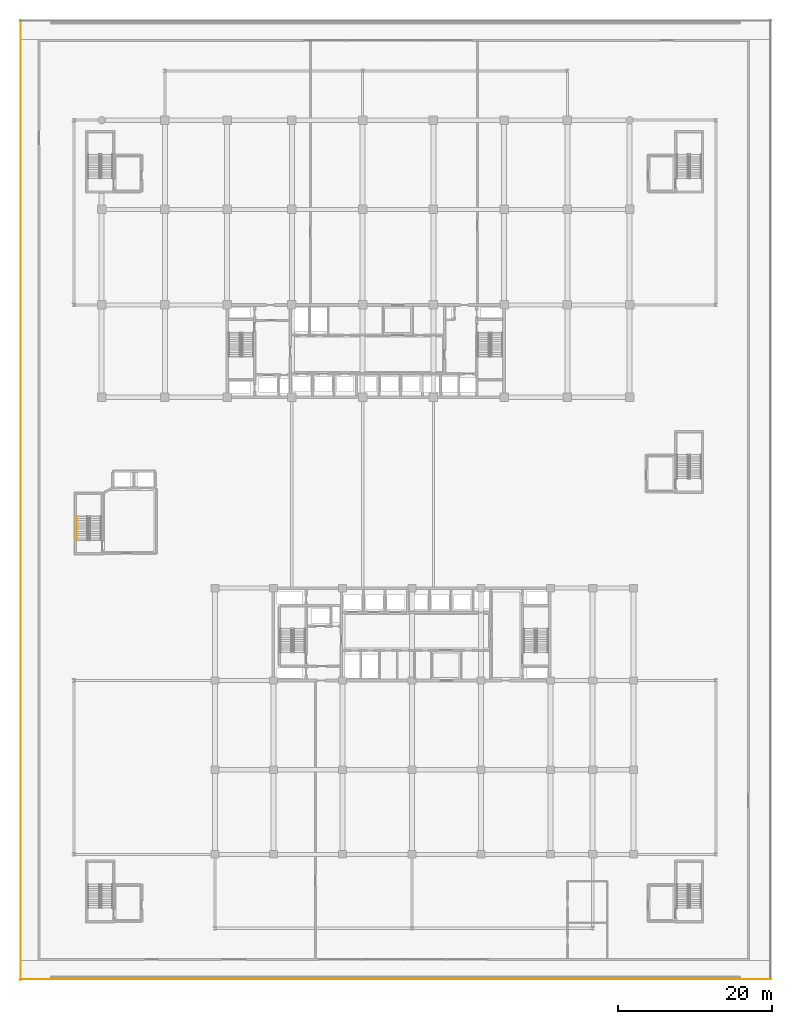
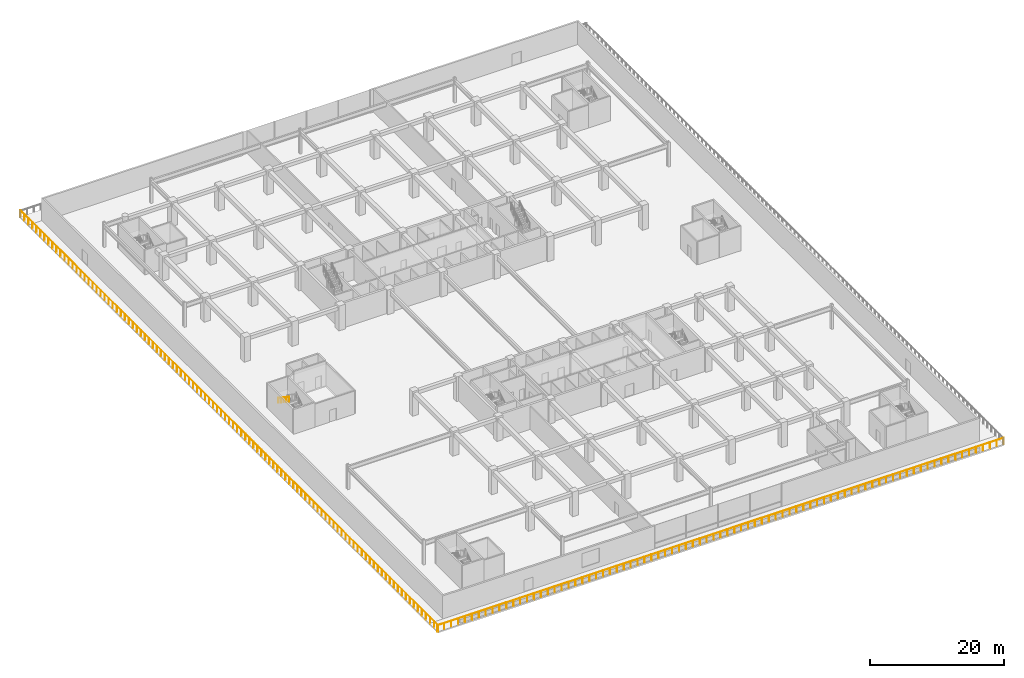
# One storey, part 31 of 40: 3 railings.
"""IFC4 building model written with IfcOpenShell, lengths in metres."""

from ifc_helpers import new_model, si_unit, direction, frame, origin, origin_2d, place, context, subcontext, project, spatial, circle, extrude, material, type_object, element, save


model = new_model("IFC4")

# Units and contexts
model_context = context("Model", 3, precision=1e-05, world=origin(), true_north=direction((0.0, 1.0)))
body_context = subcontext(model_context, "Body", "Model", "MODEL_VIEW")
ifc_project = project(units=[si_unit("LENGTHUNIT", "METRE"), si_unit("AREAUNIT", "SQUARE_METRE"), si_unit("VOLUMEUNIT", "CUBIC_METRE"), si_unit("PLANEANGLEUNIT", "RADIAN"), si_unit("MASSUNIT", "GRAM", prefix="KILO")], contexts=[model_context])

# Site, building, storey
site_placement = place(None, origin())
site = spatial("IfcSite", under=ifc_project, at=site_placement, CompositionType="ELEMENT")
building_placement = place(site_placement, origin())
building = spatial("IfcBuilding", under=site, at=building_placement, Name="Korimba Cascade Residences", CompositionType="ELEMENT")
storey_placement = place(building_placement, frame((0.0, 0.0, 14.5)))
storey = spatial("IfcBuildingStorey", under=building, at=storey_placement, Name="L03", CompositionType="ELEMENT", Elevation=14.5)

# Railings
ifc_material_1 = material(Name="Brushed Stainless Steel Handrail", Category="steel")
railing_type_1 = type_object("IfcRailingType", Name="RLG-ST-HR900", PredefinedType="HANDRAIL", material=ifc_material_1)
railing_1_placement = place(storey_placement, frame((56.550048828125, 39.72998046875, 2.629150390625)))
element("IfcRailing", 1, at=railing_1_placement, inside=storey, type_object=railing_type_1, Name="L03 ST-P1 stair handrail 2", PredefinedType="HANDRAIL", context=body_context, shape_type="SweptSolid", body=[
    extrude(circle(Radius=0.02392578125, at=origin_2d()), frame((0.0, 0.0, 0.8759765625), z_axis=(0.0, -0.830913701846, 0.55640131208), x_axis=(1.0, 0.0, 0.0)), (0.0, 0.0, 1.0), 3.706787109375),
    extrude(circle(Radius=0.02099609375, at=origin_2d()), origin(), (0.0, 0.0, 1.0), 0.851806640625),
    extrude(circle(Radius=0.02099609375, at=origin_2d()), frame((0.0, -0.77001953125, 0.515625)), (0.0, 0.0, 1.0), 0.851806640625),
    extrude(circle(Radius=0.02099609375, at=origin_2d()), frame((0.0, -1.5400390625, 1.03125)), (0.0, 0.0, 1.0), 0.851806640625),
    extrude(circle(Radius=0.02099609375, at=origin_2d()), frame((0.0, -2.31005859375, 1.546875)), (0.0, 0.0, 1.0), 0.851806640625),
    extrude(circle(Radius=0.02099609375, at=origin_2d()), frame((0.0, -3.080078125, 2.0625)), (0.0, 0.0, 1.0), 0.851806640625),
])
ifc_material_2 = material(Name="Painted Galvanised Steel Terrace Guardrail", Category="steel")
railing_type_2 = type_object("IfcRailingType", Name="RLG-TER-1150", PredefinedType="GUARDRAIL", material=ifc_material_2)
railing_2_placement = place(storey_placement, frame((49.199951171875, -20.419921875, 0.0)))
element("IfcRailing", 2, at=railing_2_placement, inside=storey, type_object=railing_type_2, Name="L03 Perimeter Guardrail RLG-L03-TER-01", PredefinedType="GUARDRAIL", context=body_context, shape_type="SweptSolid", body=[
    extrude(circle(Radius=0.02392578125, at=origin_2d()), frame((0.0, 0.0, 1.1259765625), z_axis=(1.0, 0.0, 0.0), x_axis=(0.0, 1.0, 0.0)), (0.0, 0.0, 1.0), 97.60009765625),
    extrude(circle(Radius=0.02099609375, at=origin_2d()), origin(), (0.0, 0.0, 1.0), 1.101806640625),
    extrude(circle(Radius=0.02099609375, at=origin_2d()), frame((1.190185546875, 0.0, 0.0)), (0.0, 0.0, 1.0), 1.101806640625),
    extrude(circle(Radius=0.02099609375, at=origin_2d()), frame((2.38037109375, 0.0, 0.0)), (0.0, 0.0, 1.0), 1.101806640625),
    extrude(circle(Radius=0.02099609375, at=origin_2d()), frame((3.57080078125, 0.0, 0.0)), (0.0, 0.0, 1.0), 1.101806640625),
    extrude(circle(Radius=0.02099609375, at=origin_2d()), frame((4.760986328125, 0.0, 0.0)), (0.0, 0.0, 1.0), 1.101806640625),
    extrude(circle(Radius=0.02099609375, at=origin_2d()), frame((5.951171875, 0.0, 0.0)), (0.0, 0.0, 1.0), 1.101806640625),
    extrude(circle(Radius=0.02099609375, at=origin_2d()), frame((7.141357421875, 0.0, 0.0)), (0.0, 0.0, 1.0), 1.101806640625),
    extrude(circle(Radius=0.02099609375, at=origin_2d()), frame((8.331787109375, 0.0, 0.0)), (0.0, 0.0, 1.0), 1.101806640625),
    extrude(circle(Radius=0.02099609375, at=origin_2d()), frame((9.52197265625, 0.0, 0.0)), (0.0, 0.0, 1.0), 1.101806640625),
    extrude(circle(Radius=0.02099609375, at=origin_2d()), frame((10.712158203125, 0.0, 0.0)), (0.0, 0.0, 1.0), 1.101806640625),
    extrude(circle(Radius=0.02099609375, at=origin_2d()), frame((11.90234375, 0.0, 0.0)), (0.0, 0.0, 1.0), 1.101806640625),
    extrude(circle(Radius=0.02099609375, at=origin_2d()), frame((13.0927734375, 0.0, 0.0)), (0.0, 0.0, 1.0), 1.101806640625),
    extrude(circle(Radius=0.02099609375, at=origin_2d()), frame((14.282958984375, 0.0, 0.0)), (0.0, 0.0, 1.0), 1.101806640625),
    extrude(circle(Radius=0.02099609375, at=origin_2d()), frame((15.47314453125, 0.0, 0.0)), (0.0, 0.0, 1.0), 1.101806640625),
    extrude(circle(Radius=0.02099609375, at=origin_2d()), frame((16.663330078125, 0.0, 0.0)), (0.0, 0.0, 1.0), 1.101806640625),
    extrude(circle(Radius=0.02099609375, at=origin_2d()), frame((17.853759765625, 0.0, 0.0)), (0.0, 0.0, 1.0), 1.101806640625),
    extrude(circle(Radius=0.02099609375, at=origin_2d()), frame((19.0439453125, 0.0, 0.0)), (0.0, 0.0, 1.0), 1.101806640625),
    extrude(circle(Radius=0.02099609375, at=origin_2d()), frame((20.234130859375, 0.0, 0.0)), (0.0, 0.0, 1.0), 1.101806640625),
    extrude(circle(Radius=0.02099609375, at=origin_2d()), frame((21.42431640625, 0.0, 0.0)), (0.0, 0.0, 1.0), 1.101806640625),
    extrude(circle(Radius=0.02099609375, at=origin_2d()), frame((22.61474609375, 0.0, 0.0)), (0.0, 0.0, 1.0), 1.101806640625),
    extrude(circle(Radius=0.02099609375, at=origin_2d()), frame((23.804931640625, 0.0, 0.0)), (0.0, 0.0, 1.0), 1.101806640625),
    extrude(circle(Radius=0.02099609375, at=origin_2d()), frame((24.9951171875, 0.0, 0.0)), (0.0, 0.0, 1.0), 1.101806640625),
    extrude(circle(Radius=0.02099609375, at=origin_2d()), frame((26.185302734375, 0.0, 0.0)), (0.0, 0.0, 1.0), 1.101806640625),
    extrude(circle(Radius=0.02099609375, at=origin_2d()), frame((27.375732421875, 0.0, 0.0)), (0.0, 0.0, 1.0), 1.101806640625),
    extrude(circle(Radius=0.02099609375, at=origin_2d()), frame((28.56591796875, 0.0, 0.0)), (0.0, 0.0, 1.0), 1.101806640625),
    extrude(circle(Radius=0.02099609375, at=origin_2d()), frame((29.756103515625, 0.0, 0.0)), (0.0, 0.0, 1.0), 1.101806640625),
    extrude(circle(Radius=0.02099609375, at=origin_2d()), frame((30.9462890625, 0.0, 0.0)), (0.0, 0.0, 1.0), 1.101806640625),
    extrude(circle(Radius=0.02099609375, at=origin_2d()), frame((32.13671875, 0.0, 0.0)), (0.0, 0.0, 1.0), 1.101806640625),
    extrude(circle(Radius=0.02099609375, at=origin_2d()), frame((33.326904296875, 0.0, 0.0)), (0.0, 0.0, 1.0), 1.101806640625),
    extrude(circle(Radius=0.02099609375, at=origin_2d()), frame((34.51708984375, 0.0, 0.0)), (0.0, 0.0, 1.0), 1.101806640625),
    extrude(circle(Radius=0.02099609375, at=origin_2d()), frame((35.707275390625, 0.0, 0.0)), (0.0, 0.0, 1.0), 1.101806640625),
    extrude(circle(Radius=0.02099609375, at=origin_2d()), frame((36.897705078125, 0.0, 0.0)), (0.0, 0.0, 1.0), 1.101806640625),
    extrude(circle(Radius=0.02099609375, at=origin_2d()), frame((38.087890625, 0.0, 0.0)), (0.0, 0.0, 1.0), 1.101806640625),
    extrude(circle(Radius=0.02099609375, at=origin_2d()), frame((39.278076171875, 0.0, 0.0)), (0.0, 0.0, 1.0), 1.101806640625),
    extrude(circle(Radius=0.02099609375, at=origin_2d()), frame((40.46826171875, 0.0, 0.0)), (0.0, 0.0, 1.0), 1.101806640625),
    extrude(circle(Radius=0.02099609375, at=origin_2d()), frame((41.65869140625, 0.0, 0.0)), (0.0, 0.0, 1.0), 1.101806640625),
    extrude(circle(Radius=0.02099609375, at=origin_2d()), frame((42.848876953125, 0.0, 0.0)), (0.0, 0.0, 1.0), 1.101806640625),
    extrude(circle(Radius=0.02099609375, at=origin_2d()), frame((44.0390625, 0.0, 0.0)), (0.0, 0.0, 1.0), 1.101806640625),
    extrude(circle(Radius=0.02099609375, at=origin_2d()), frame((45.229248046875, 0.0, 0.0)), (0.0, 0.0, 1.0), 1.101806640625),
    extrude(circle(Radius=0.02099609375, at=origin_2d()), frame((46.419677734375, 0.0, 0.0)), (0.0, 0.0, 1.0), 1.101806640625),
    extrude(circle(Radius=0.02099609375, at=origin_2d()), frame((47.60986328125, 0.0, 0.0)), (0.0, 0.0, 1.0), 1.101806640625),
    extrude(circle(Radius=0.02099609375, at=origin_2d()), frame((48.800048828125, 0.0, 0.0)), (0.0, 0.0, 1.0), 1.101806640625),
    extrude(circle(Radius=0.02099609375, at=origin_2d()), frame((49.990234375, 0.0, 0.0)), (0.0, 0.0, 1.0), 1.101806640625),
    extrude(circle(Radius=0.02099609375, at=origin_2d()), frame((51.180419921875, 0.0, 0.0)), (0.0, 0.0, 1.0), 1.101806640625),
    extrude(circle(Radius=0.02099609375, at=origin_2d()), frame((52.370849609375, 0.0, 0.0)), (0.0, 0.0, 1.0), 1.101806640625),
    extrude(circle(Radius=0.02099609375, at=origin_2d()), frame((53.56103515625, 0.0, 0.0)), (0.0, 0.0, 1.0), 1.101806640625),
    extrude(circle(Radius=0.02099609375, at=origin_2d()), frame((54.751220703125, 0.0, 0.0)), (0.0, 0.0, 1.0), 1.101806640625),
    extrude(circle(Radius=0.02099609375, at=origin_2d()), frame((55.94140625, 0.0, 0.0)), (0.0, 0.0, 1.0), 1.101806640625),
    extrude(circle(Radius=0.02099609375, at=origin_2d()), frame((57.1318359375, 0.0, 0.0)), (0.0, 0.0, 1.0), 1.101806640625),
    extrude(circle(Radius=0.02099609375, at=origin_2d()), frame((58.322021484375, 0.0, 0.0)), (0.0, 0.0, 1.0), 1.101806640625),
    extrude(circle(Radius=0.02099609375, at=origin_2d()), frame((59.51220703125, 0.0, 0.0)), (0.0, 0.0, 1.0), 1.101806640625),
    extrude(circle(Radius=0.02099609375, at=origin_2d()), frame((60.702392578125, 0.0, 0.0)), (0.0, 0.0, 1.0), 1.101806640625),
    extrude(circle(Radius=0.02099609375, at=origin_2d()), frame((61.892822265625, 0.0, 0.0)), (0.0, 0.0, 1.0), 1.101806640625),
    extrude(circle(Radius=0.02099609375, at=origin_2d()), frame((63.0830078125, 0.0, 0.0)), (0.0, 0.0, 1.0), 1.101806640625),
    extrude(circle(Radius=0.02099609375, at=origin_2d()), frame((64.273193359375, 0.0, 0.0)), (0.0, 0.0, 1.0), 1.101806640625),
    extrude(circle(Radius=0.02099609375, at=origin_2d()), frame((65.46337890625, 0.0, 0.0)), (0.0, 0.0, 1.0), 1.101806640625),
    extrude(circle(Radius=0.02099609375, at=origin_2d()), frame((66.65380859375, 0.0, 0.0)), (0.0, 0.0, 1.0), 1.101806640625),
    extrude(circle(Radius=0.02099609375, at=origin_2d()), frame((67.843994140625, 0.0, 0.0)), (0.0, 0.0, 1.0), 1.101806640625),
    extrude(circle(Radius=0.02099609375, at=origin_2d()), frame((69.0341796875, 0.0, 0.0)), (0.0, 0.0, 1.0), 1.101806640625),
    extrude(circle(Radius=0.02099609375, at=origin_2d()), frame((70.224365234375, 0.0, 0.0)), (0.0, 0.0, 1.0), 1.101806640625),
    extrude(circle(Radius=0.02099609375, at=origin_2d()), frame((71.414794921875, 0.0, 0.0)), (0.0, 0.0, 1.0), 1.101806640625),
    extrude(circle(Radius=0.02099609375, at=origin_2d()), frame((72.60498046875, 0.0, 0.0)), (0.0, 0.0, 1.0), 1.101806640625),
    extrude(circle(Radius=0.02099609375, at=origin_2d()), frame((73.795166015625, 0.0, 0.0)), (0.0, 0.0, 1.0), 1.101806640625),
    extrude(circle(Radius=0.02099609375, at=origin_2d()), frame((74.9853515625, 0.0, 0.0)), (0.0, 0.0, 1.0), 1.101806640625),
    extrude(circle(Radius=0.02099609375, at=origin_2d()), frame((76.17578125, 0.0, 0.0)), (0.0, 0.0, 1.0), 1.101806640625),
    extrude(circle(Radius=0.02099609375, at=origin_2d()), frame((77.365966796875, 0.0, 0.0)), (0.0, 0.0, 1.0), 1.101806640625),
    extrude(circle(Radius=0.02099609375, at=origin_2d()), frame((78.55615234375, 0.0, 0.0)), (0.0, 0.0, 1.0), 1.101806640625),
    extrude(circle(Radius=0.02099609375, at=origin_2d()), frame((79.746337890625, 0.0, 0.0)), (0.0, 0.0, 1.0), 1.101806640625),
    extrude(circle(Radius=0.02099609375, at=origin_2d()), frame((80.936767578125, 0.0, 0.0)), (0.0, 0.0, 1.0), 1.101806640625),
    extrude(circle(Radius=0.02099609375, at=origin_2d()), frame((82.126953125, 0.0, 0.0)), (0.0, 0.0, 1.0), 1.101806640625),
    extrude(circle(Radius=0.02099609375, at=origin_2d()), frame((83.317138671875, 0.0, 0.0)), (0.0, 0.0, 1.0), 1.101806640625),
    extrude(circle(Radius=0.02099609375, at=origin_2d()), frame((84.50732421875, 0.0, 0.0)), (0.0, 0.0, 1.0), 1.101806640625),
    extrude(circle(Radius=0.02099609375, at=origin_2d()), frame((85.69775390625, 0.0, 0.0)), (0.0, 0.0, 1.0), 1.101806640625),
    extrude(circle(Radius=0.02099609375, at=origin_2d()), frame((86.887939453125, 0.0, 0.0)), (0.0, 0.0, 1.0), 1.101806640625),
    extrude(circle(Radius=0.02099609375, at=origin_2d()), frame((88.078125, 0.0, 0.0)), (0.0, 0.0, 1.0), 1.101806640625),
    extrude(circle(Radius=0.02099609375, at=origin_2d()), frame((89.268310546875, 0.0, 0.0)), (0.0, 0.0, 1.0), 1.101806640625),
    extrude(circle(Radius=0.02099609375, at=origin_2d()), frame((90.458740234375, 0.0, 0.0)), (0.0, 0.0, 1.0), 1.101806640625),
    extrude(circle(Radius=0.02099609375, at=origin_2d()), frame((91.64892578125, 0.0, 0.0)), (0.0, 0.0, 1.0), 1.101806640625),
    extrude(circle(Radius=0.02099609375, at=origin_2d()), frame((92.839111328125, 0.0, 0.0)), (0.0, 0.0, 1.0), 1.101806640625),
    extrude(circle(Radius=0.02099609375, at=origin_2d()), frame((94.029296875, 0.0, 0.0)), (0.0, 0.0, 1.0), 1.101806640625),
    extrude(circle(Radius=0.02099609375, at=origin_2d()), frame((95.2197265625, 0.0, 0.0)), (0.0, 0.0, 1.0), 1.101806640625),
    extrude(circle(Radius=0.02099609375, at=origin_2d()), frame((96.409912109375, 0.0, 0.0)), (0.0, 0.0, 1.0), 1.101806640625),
    extrude(circle(Radius=0.02099609375, at=origin_2d()), frame((97.60009765625, 0.0, 0.0)), (0.0, 0.0, 1.0), 1.101806640625),
])
railing_3_placement = place(storey_placement, frame((49.280029296875, 104.199951171875, 0.0)))
element("IfcRailing", 3, at=railing_3_placement, inside=storey, type_object=railing_type_2, Name="L03 Perimeter Guardrail RLG-L03-TER-04", PredefinedType="GUARDRAIL", context=body_context, shape_type="SweptSolid", body=[
    extrude(circle(Radius=0.02392578125, at=origin_2d()), frame((0.0, 0.0, 1.1259765625), z_axis=(0.0, -1.0, 0.0), x_axis=(1.0, 0.0, 0.0)), (0.0, 0.0, 1.0), 124.699951171875),
    extrude(circle(Radius=0.02099609375, at=origin_2d()), origin(), (0.0, 0.0, 1.0), 1.101806640625),
    extrude(circle(Radius=0.02099609375, at=origin_2d()), frame((0.0, -1.198974609375, 0.0)), (0.0, 0.0, 1.0), 1.101806640625),
    extrude(circle(Radius=0.02099609375, at=origin_2d()), frame((0.0, -2.398193359375, 0.0)), (0.0, 0.0, 1.0), 1.101806640625),
    extrude(circle(Radius=0.02099609375, at=origin_2d()), frame((0.0, -3.59716796875, 0.0)), (0.0, 0.0, 1.0), 1.101806640625),
    extrude(circle(Radius=0.02099609375, at=origin_2d()), frame((0.0, -4.796142578125, 0.0)), (0.0, 0.0, 1.0), 1.101806640625),
    extrude(circle(Radius=0.02099609375, at=origin_2d()), frame((0.0, -5.9951171875, 0.0)), (0.0, 0.0, 1.0), 1.101806640625),
    extrude(circle(Radius=0.02099609375, at=origin_2d()), frame((0.0, -7.1943359375, 0.0)), (0.0, 0.0, 1.0), 1.101806640625),
    extrude(circle(Radius=0.02099609375, at=origin_2d()), frame((0.0, -8.393310546875, 0.0)), (0.0, 0.0, 1.0), 1.101806640625),
    extrude(circle(Radius=0.02099609375, at=origin_2d()), frame((0.0, -9.59228515625, 0.0)), (0.0, 0.0, 1.0), 1.101806640625),
    extrude(circle(Radius=0.02099609375, at=origin_2d()), frame((0.0, -10.791259765625, 0.0)), (0.0, 0.0, 1.0), 1.101806640625),
    extrude(circle(Radius=0.02099609375, at=origin_2d()), frame((0.0, -11.990478515625, 0.0)), (0.0, 0.0, 1.0), 1.101806640625),
    extrude(circle(Radius=0.02099609375, at=origin_2d()), frame((0.0, -13.189453125, 0.0)), (0.0, 0.0, 1.0), 1.101806640625),
    extrude(circle(Radius=0.02099609375, at=origin_2d()), frame((0.0, -14.388427734375, 0.0)), (0.0, 0.0, 1.0), 1.101806640625),
    extrude(circle(Radius=0.02099609375, at=origin_2d()), frame((0.0, -15.58740234375, 0.0)), (0.0, 0.0, 1.0), 1.101806640625),
    extrude(circle(Radius=0.02099609375, at=origin_2d()), frame((0.0, -16.78662109375, 0.0)), (0.0, 0.0, 1.0), 1.101806640625),
    extrude(circle(Radius=0.02099609375, at=origin_2d()), frame((0.0, -17.985595703125, 0.0)), (0.0, 0.0, 1.0), 1.101806640625),
    extrude(circle(Radius=0.02099609375, at=origin_2d()), frame((0.0, -19.1845703125, 0.0)), (0.0, 0.0, 1.0), 1.101806640625),
    extrude(circle(Radius=0.02099609375, at=origin_2d()), frame((0.0, -20.383544921875, 0.0)), (0.0, 0.0, 1.0), 1.101806640625),
    extrude(circle(Radius=0.02099609375, at=origin_2d()), frame((0.0, -21.582763671875, 0.0)), (0.0, 0.0, 1.0), 1.101806640625),
    extrude(circle(Radius=0.02099609375, at=origin_2d()), frame((0.0, -22.78173828125, 0.0)), (0.0, 0.0, 1.0), 1.101806640625),
    extrude(circle(Radius=0.02099609375, at=origin_2d()), frame((0.0, -23.980712890625, 0.0)), (0.0, 0.0, 1.0), 1.101806640625),
    extrude(circle(Radius=0.02099609375, at=origin_2d()), frame((0.0, -25.1796875, 0.0)), (0.0, 0.0, 1.0), 1.101806640625),
    extrude(circle(Radius=0.02099609375, at=origin_2d()), frame((0.0, -26.37890625, 0.0)), (0.0, 0.0, 1.0), 1.101806640625),
    extrude(circle(Radius=0.02099609375, at=origin_2d()), frame((0.0, -27.577880859375, 0.0)), (0.0, 0.0, 1.0), 1.101806640625),
    extrude(circle(Radius=0.02099609375, at=origin_2d()), frame((0.0, -28.77685546875, 0.0)), (0.0, 0.0, 1.0), 1.101806640625),
    extrude(circle(Radius=0.02099609375, at=origin_2d()), frame((0.0, -29.975830078125, 0.0)), (0.0, 0.0, 1.0), 1.101806640625),
    extrude(circle(Radius=0.02099609375, at=origin_2d()), frame((0.0, -31.175048828125, 0.0)), (0.0, 0.0, 1.0), 1.101806640625),
    extrude(circle(Radius=0.02099609375, at=origin_2d()), frame((0.0, -32.3740234375, 0.0)), (0.0, 0.0, 1.0), 1.101806640625),
    extrude(circle(Radius=0.02099609375, at=origin_2d()), frame((0.0, -33.572998046875, 0.0)), (0.0, 0.0, 1.0), 1.101806640625),
    extrude(circle(Radius=0.02099609375, at=origin_2d()), frame((0.0, -34.772216796875, 0.0)), (0.0, 0.0, 1.0), 1.101806640625),
    extrude(circle(Radius=0.02099609375, at=origin_2d()), frame((0.0, -35.97119140625, 0.0)), (0.0, 0.0, 1.0), 1.101806640625),
    extrude(circle(Radius=0.02099609375, at=origin_2d()), frame((0.0, -37.170166015625, 0.0)), (0.0, 0.0, 1.0), 1.101806640625),
    extrude(circle(Radius=0.02099609375, at=origin_2d()), frame((0.0, -38.369140625, 0.0)), (0.0, 0.0, 1.0), 1.101806640625),
    extrude(circle(Radius=0.02099609375, at=origin_2d()), frame((0.0, -39.568359375, 0.0)), (0.0, 0.0, 1.0), 1.101806640625),
    extrude(circle(Radius=0.02099609375, at=origin_2d()), frame((0.0, -40.767333984375, 0.0)), (0.0, 0.0, 1.0), 1.101806640625),
    extrude(circle(Radius=0.02099609375, at=origin_2d()), frame((0.0, -41.96630859375, 0.0)), (0.0, 0.0, 1.0), 1.101806640625),
    extrude(circle(Radius=0.02099609375, at=origin_2d()), frame((0.0, -43.165283203125, 0.0)), (0.0, 0.0, 1.0), 1.101806640625),
    extrude(circle(Radius=0.02099609375, at=origin_2d()), frame((0.0, -44.364501953125, 0.0)), (0.0, 0.0, 1.0), 1.101806640625),
    extrude(circle(Radius=0.02099609375, at=origin_2d()), frame((0.0, -45.5634765625, 0.0)), (0.0, 0.0, 1.0), 1.101806640625),
    extrude(circle(Radius=0.02099609375, at=origin_2d()), frame((0.0, -46.762451171875, 0.0)), (0.0, 0.0, 1.0), 1.101806640625),
    extrude(circle(Radius=0.02099609375, at=origin_2d()), frame((0.0, -47.96142578125, 0.0)), (0.0, 0.0, 1.0), 1.101806640625),
    extrude(circle(Radius=0.02099609375, at=origin_2d()), frame((0.0, -49.16064453125, 0.0)), (0.0, 0.0, 1.0), 1.101806640625),
    extrude(circle(Radius=0.02099609375, at=origin_2d()), frame((0.0, -50.359619140625, 0.0)), (0.0, 0.0, 1.0), 1.101806640625),
    extrude(circle(Radius=0.02099609375, at=origin_2d()), frame((0.0, -51.55859375, 0.0)), (0.0, 0.0, 1.0), 1.101806640625),
    extrude(circle(Radius=0.02099609375, at=origin_2d()), frame((0.0, -52.757568359375, 0.0)), (0.0, 0.0, 1.0), 1.101806640625),
    extrude(circle(Radius=0.02099609375, at=origin_2d()), frame((0.0, -53.956787109375, 0.0)), (0.0, 0.0, 1.0), 1.101806640625),
    extrude(circle(Radius=0.02099609375, at=origin_2d()), frame((0.0, -55.15576171875, 0.0)), (0.0, 0.0, 1.0), 1.101806640625),
    extrude(circle(Radius=0.02099609375, at=origin_2d()), frame((0.0, -56.354736328125, 0.0)), (0.0, 0.0, 1.0), 1.101806640625),
    extrude(circle(Radius=0.02099609375, at=origin_2d()), frame((0.0, -57.5537109375, 0.0)), (0.0, 0.0, 1.0), 1.101806640625),
    extrude(circle(Radius=0.02099609375, at=origin_2d()), frame((0.0, -58.7529296875, 0.0)), (0.0, 0.0, 1.0), 1.101806640625),
    extrude(circle(Radius=0.02099609375, at=origin_2d()), frame((0.0, -59.951904296875, 0.0)), (0.0, 0.0, 1.0), 1.101806640625),
    extrude(circle(Radius=0.02099609375, at=origin_2d()), frame((0.0, -61.15087890625, 0.0)), (0.0, 0.0, 1.0), 1.101806640625),
    extrude(circle(Radius=0.02099609375, at=origin_2d()), frame((0.0, -62.35009765625, 0.0)), (0.0, 0.0, 1.0), 1.101806640625),
    extrude(circle(Radius=0.02099609375, at=origin_2d()), frame((0.0, -63.549072265625, 0.0)), (0.0, 0.0, 1.0), 1.101806640625),
    extrude(circle(Radius=0.02099609375, at=origin_2d()), frame((0.0, -64.748046875, 0.0)), (0.0, 0.0, 1.0), 1.101806640625),
    extrude(circle(Radius=0.02099609375, at=origin_2d()), frame((0.0, -65.947021484375, 0.0)), (0.0, 0.0, 1.0), 1.101806640625),
    extrude(circle(Radius=0.02099609375, at=origin_2d()), frame((0.0, -67.146240234375, 0.0)), (0.0, 0.0, 1.0), 1.101806640625),
    extrude(circle(Radius=0.02099609375, at=origin_2d()), frame((0.0, -68.34521484375, 0.0)), (0.0, 0.0, 1.0), 1.101806640625),
    extrude(circle(Radius=0.02099609375, at=origin_2d()), frame((0.0, -69.544189453125, 0.0)), (0.0, 0.0, 1.0), 1.101806640625),
    extrude(circle(Radius=0.02099609375, at=origin_2d()), frame((0.0, -70.7431640625, 0.0)), (0.0, 0.0, 1.0), 1.101806640625),
    extrude(circle(Radius=0.02099609375, at=origin_2d()), frame((0.0, -71.9423828125, 0.0)), (0.0, 0.0, 1.0), 1.101806640625),
    extrude(circle(Radius=0.02099609375, at=origin_2d()), frame((0.0, -73.141357421875, 0.0)), (0.0, 0.0, 1.0), 1.101806640625),
    extrude(circle(Radius=0.02099609375, at=origin_2d()), frame((0.0, -74.34033203125, 0.0)), (0.0, 0.0, 1.0), 1.101806640625),
    extrude(circle(Radius=0.02099609375, at=origin_2d()), frame((0.0, -75.539306640625, 0.0)), (0.0, 0.0, 1.0), 1.101806640625),
    extrude(circle(Radius=0.02099609375, at=origin_2d()), frame((0.0, -76.738525390625, 0.0)), (0.0, 0.0, 1.0), 1.101806640625),
    extrude(circle(Radius=0.02099609375, at=origin_2d()), frame((0.0, -77.9375, 0.0)), (0.0, 0.0, 1.0), 1.101806640625),
    extrude(circle(Radius=0.02099609375, at=origin_2d()), frame((0.0, -79.136474609375, 0.0)), (0.0, 0.0, 1.0), 1.101806640625),
    extrude(circle(Radius=0.02099609375, at=origin_2d()), frame((0.0, -80.33544921875, 0.0)), (0.0, 0.0, 1.0), 1.101806640625),
    extrude(circle(Radius=0.02099609375, at=origin_2d()), frame((0.0, -81.53466796875, 0.0)), (0.0, 0.0, 1.0), 1.101806640625),
    extrude(circle(Radius=0.02099609375, at=origin_2d()), frame((0.0, -82.733642578125, 0.0)), (0.0, 0.0, 1.0), 1.101806640625),
    extrude(circle(Radius=0.02099609375, at=origin_2d()), frame((0.0, -83.9326171875, 0.0)), (0.0, 0.0, 1.0), 1.101806640625),
    extrude(circle(Radius=0.02099609375, at=origin_2d()), frame((0.0, -85.131591796875, 0.0)), (0.0, 0.0, 1.0), 1.101806640625),
    extrude(circle(Radius=0.02099609375, at=origin_2d()), frame((0.0, -86.330810546875, 0.0)), (0.0, 0.0, 1.0), 1.101806640625),
    extrude(circle(Radius=0.02099609375, at=origin_2d()), frame((0.0, -87.52978515625, 0.0)), (0.0, 0.0, 1.0), 1.101806640625),
    extrude(circle(Radius=0.02099609375, at=origin_2d()), frame((0.0, -88.728759765625, 0.0)), (0.0, 0.0, 1.0), 1.101806640625),
    extrude(circle(Radius=0.02099609375, at=origin_2d()), frame((0.0, -89.927734375, 0.0)), (0.0, 0.0, 1.0), 1.101806640625),
    extrude(circle(Radius=0.02099609375, at=origin_2d()), frame((0.0, -91.126953125, 0.0)), (0.0, 0.0, 1.0), 1.101806640625),
    extrude(circle(Radius=0.02099609375, at=origin_2d()), frame((0.0, -92.325927734375, 0.0)), (0.0, 0.0, 1.0), 1.101806640625),
    extrude(circle(Radius=0.02099609375, at=origin_2d()), frame((0.0, -93.52490234375, 0.0)), (0.0, 0.0, 1.0), 1.101806640625),
    extrude(circle(Radius=0.02099609375, at=origin_2d()), frame((0.0, -94.72412109375, 0.0)), (0.0, 0.0, 1.0), 1.101806640625),
    extrude(circle(Radius=0.02099609375, at=origin_2d()), frame((0.0, -95.923095703125, 0.0)), (0.0, 0.0, 1.0), 1.101806640625),
    extrude(circle(Radius=0.02099609375, at=origin_2d()), frame((0.0, -97.1220703125, 0.0)), (0.0, 0.0, 1.0), 1.101806640625),
    extrude(circle(Radius=0.02099609375, at=origin_2d()), frame((0.0, -98.321044921875, 0.0)), (0.0, 0.0, 1.0), 1.101806640625),
    extrude(circle(Radius=0.02099609375, at=origin_2d()), frame((0.0, -99.520263671875, 0.0)), (0.0, 0.0, 1.0), 1.101806640625),
    extrude(circle(Radius=0.02099609375, at=origin_2d()), frame((0.0, -100.71923828125, 0.0)), (0.0, 0.0, 1.0), 1.101806640625),
    extrude(circle(Radius=0.02099609375, at=origin_2d()), frame((0.0, -101.918212890625, 0.0)), (0.0, 0.0, 1.0), 1.101806640625),
    extrude(circle(Radius=0.02099609375, at=origin_2d()), frame((0.0, -103.1171875, 0.0)), (0.0, 0.0, 1.0), 1.101806640625),
    extrude(circle(Radius=0.02099609375, at=origin_2d()), frame((0.0, -104.31640625, 0.0)), (0.0, 0.0, 1.0), 1.101806640625),
    extrude(circle(Radius=0.02099609375, at=origin_2d()), frame((0.0, -105.515380859375, 0.0)), (0.0, 0.0, 1.0), 1.101806640625),
    extrude(circle(Radius=0.02099609375, at=origin_2d()), frame((0.0, -106.71435546875, 0.0)), (0.0, 0.0, 1.0), 1.101806640625),
    extrude(circle(Radius=0.02099609375, at=origin_2d()), frame((0.0, -107.913330078125, 0.0)), (0.0, 0.0, 1.0), 1.101806640625),
    extrude(circle(Radius=0.02099609375, at=origin_2d()), frame((0.0, -109.112548828125, 0.0)), (0.0, 0.0, 1.0), 1.101806640625),
    extrude(circle(Radius=0.02099609375, at=origin_2d()), frame((0.0, -110.3115234375, 0.0)), (0.0, 0.0, 1.0), 1.101806640625),
    extrude(circle(Radius=0.02099609375, at=origin_2d()), frame((0.0, -111.510498046875, 0.0)), (0.0, 0.0, 1.0), 1.101806640625),
    extrude(circle(Radius=0.02099609375, at=origin_2d()), frame((0.0, -112.70947265625, 0.0)), (0.0, 0.0, 1.0), 1.101806640625),
    extrude(circle(Radius=0.02099609375, at=origin_2d()), frame((0.0, -113.90869140625, 0.0)), (0.0, 0.0, 1.0), 1.101806640625),
    extrude(circle(Radius=0.02099609375, at=origin_2d()), frame((0.0, -115.107666015625, 0.0)), (0.0, 0.0, 1.0), 1.101806640625),
    extrude(circle(Radius=0.02099609375, at=origin_2d()), frame((0.0, -116.306640625, 0.0)), (0.0, 0.0, 1.0), 1.101806640625),
    extrude(circle(Radius=0.02099609375, at=origin_2d()), frame((0.0, -117.505615234375, 0.0)), (0.0, 0.0, 1.0), 1.101806640625),
    extrude(circle(Radius=0.02099609375, at=origin_2d()), frame((0.0, -118.704833984375, 0.0)), (0.0, 0.0, 1.0), 1.101806640625),
    extrude(circle(Radius=0.02099609375, at=origin_2d()), frame((0.0, -119.90380859375, 0.0)), (0.0, 0.0, 1.0), 1.101806640625),
    extrude(circle(Radius=0.02099609375, at=origin_2d()), frame((0.0, -121.102783203125, 0.0)), (0.0, 0.0, 1.0), 1.101806640625),
    extrude(circle(Radius=0.02099609375, at=origin_2d()), frame((0.0, -122.3017578125, 0.0)), (0.0, 0.0, 1.0), 1.101806640625),
    extrude(circle(Radius=0.02099609375, at=origin_2d()), frame((0.0, -123.5009765625, 0.0)), (0.0, 0.0, 1.0), 1.101806640625),
    extrude(circle(Radius=0.02099609375, at=origin_2d()), frame((0.0, -124.699951171875, 0.0)), (0.0, 0.0, 1.0), 1.101806640625),
])

save(model, "model.ifc")
